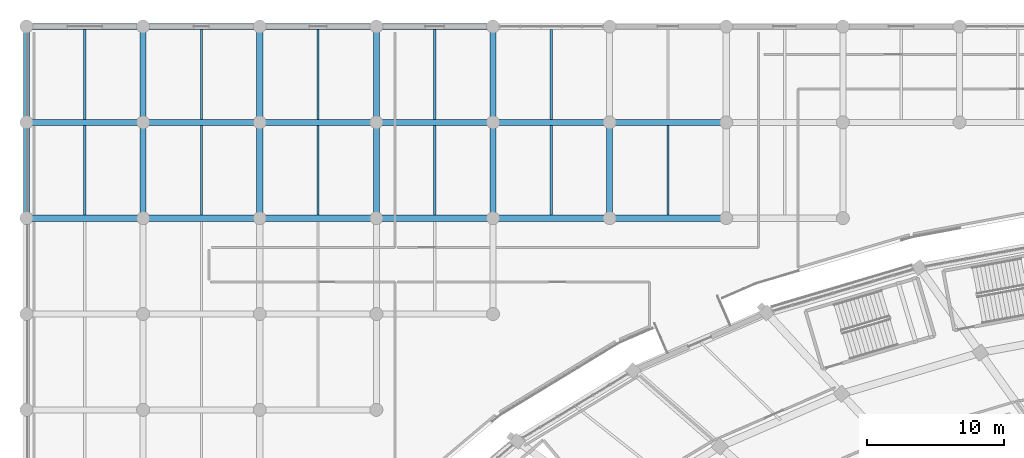
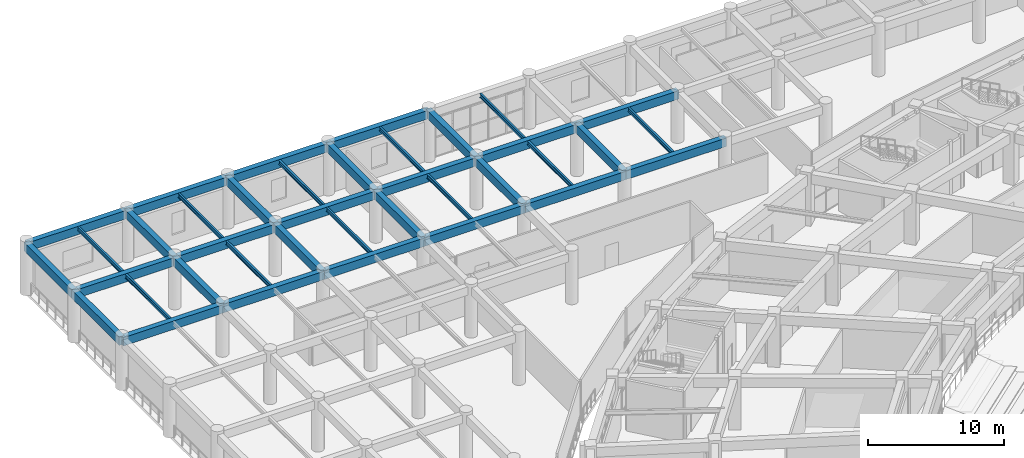
# One storey, part 60 of 152: 38 beams.
"""IFC4 building model written with IfcOpenShell, lengths in metres."""

from ifc_helpers import new_model, si_unit, direction, frame, origin, origin_2d, place, context, subcontext, project, spatial, rectangle, i_section, extrude, material, material_profile, profile_set, type_object, element, save


model = new_model("IFC4")

# Units and contexts
model_context = context("Model", 3, precision=1e-05, world=origin(), true_north=direction((0.0, 1.0)))
body_context = subcontext(model_context, "Body", "Model", "MODEL_VIEW")
ifc_project = project(units=[si_unit("LENGTHUNIT", "METRE"), si_unit("AREAUNIT", "SQUARE_METRE"), si_unit("VOLUMEUNIT", "CUBIC_METRE"), si_unit("PLANEANGLEUNIT", "RADIAN"), si_unit("MASSUNIT", "GRAM", prefix="KILO")], contexts=[model_context])

# Site, building, storey
site_placement = place(None, origin())
site = spatial("IfcSite", under=ifc_project, at=site_placement, CompositionType="ELEMENT")
building_placement = place(site_placement, origin())
building = spatial("IfcBuilding", under=site, at=building_placement, Name="Mphavela Belvedere Stadium", CompositionType="ELEMENT")
storey_placement = place(building_placement, frame((0.0, 0.0, 5.39990234375)))
storey = spatial("IfcBuildingStorey", under=building, at=storey_placement, Name="L01", CompositionType="ELEMENT", Elevation=5.39990234375)

# Beams
ifc_material_1 = material(Name="Steel S355", Category="steel")
ifc_material_profile_1 = material_profile(ifc_material_1, i_section(OverallWidth=0.169921875, OverallDepth=0.360107421875, WebThickness=0.008056640625, FlangeThickness=0.0126953125, at=origin_2d()), Name="IPE 360")
ifc_profile_set_1 = profile_set([ifc_material_profile_1], Name="Steel S355")
beam_type_1 = type_object("IfcBeamType", Name="BM-JOIST-IPE360", PredefinedType="JOIST", material=ifc_profile_set_1)
for number, where, z_axis, x_axis, name in (
    (1, (4.259521484375, 160.22509765625, 4.360107421875), (0.0, 1.0, 0.0), (-1.0, 0.0, 0.0), "North Mast and Ceremonial End Forecourt secondary joist L01 1-6"),
    (2, (4.259521484375, 167.22509765625, 4.360107421875), (0.0, 1.0, 0.0), (-1.0, 0.0, 0.0), "North Mast and Ceremonial End Forecourt secondary joist L01 1-7"),
    (3, (12.778076171875, 160.22509765625, 4.360107421875), (0.0, 1.0, 0.0), (-1.0, 0.0, 0.0), "North Mast and Ceremonial End Forecourt secondary joist L01 2-6"),
    (4, (12.778076171875, 167.22509765625, 4.360107421875), (0.0, 1.0, 0.0), (-1.0, 0.0, 0.0), "North Mast and Ceremonial End Forecourt secondary joist L01 2-7"),
    (5, (21.29638671875, 160.22509765625, 4.360107421875), (0.0, 1.0, 0.0), (-1.0, 0.0, 0.0), "North Mast and Ceremonial End Forecourt secondary joist L01 3-6"),
    (6, (21.29638671875, 167.22509765625, 4.360107421875), (0.0, 1.0, 0.0), (-1.0, 0.0, 0.0), "North Mast and Ceremonial End Forecourt secondary joist L01 3-7"),
    (7, (29.81494140625, 160.22509765625, 4.360107421875), (0.0, 1.0, 0.0), (-1.0, 0.0, 0.0), "North Mast and Ceremonial End Forecourt secondary joist L01 4-6"),
    (8, (29.81494140625, 167.22509765625, 4.360107421875), (0.0, 1.0, 0.0), (-1.0, 0.0, 0.0), "North Mast and Ceremonial End Forecourt secondary joist L01 4-7"),
    (9, (38.33349609375, 160.22509765625, 4.360107421875), (0.0, 1.0, 0.0), (-1.0, 0.0, 0.0), "North Mast and Ceremonial End Forecourt secondary joist L01 5-6"),
    (10, (38.33349609375, 167.22509765625, 4.360107421875), (0.0, 1.0, 0.0), (-1.0, 0.0, 0.0), "North Mast and Ceremonial End Forecourt secondary joist L01 5-7"),
    (11, (46.85205078125, 160.22509765625, 4.360107421875), (0.0, 1.0, 0.0), (-1.0, 0.0, 0.0), "North Mast and Ceremonial End Forecourt secondary joist L01 6-6"),
):
    element("IfcBeam", number, at=place(storey_placement, frame(where, z_axis=z_axis, x_axis=x_axis)), inside=storey, type_object=beam_type_1, Name=name, PredefinedType="JOIST", context=body_context, shape_type="SweptSolid", body=[
        extrude(i_section(OverallWidth=0.169921875, OverallDepth=0.360107421875, WebThickness=0.008056640625, FlangeThickness=0.0126953125, at=origin_2d()), origin(), (0.0, 0.0, 1.0), 6.5498046875),
    ])
ifc_material_2 = material(Name="Concrete C40/50", Category="concrete")
ifc_material_profile_2 = material_profile(ifc_material_2, rectangle(XDim=0.449951171875, YDim=0.75, at=origin_2d()), Name="RC 450x750")
ifc_profile_set_2 = profile_set([ifc_material_profile_2], Name="Concrete C40/50")
beam_type_2 = type_object("IfcBeamType", Name="BM-RC450x750", PredefinedType="BEAM", material=ifc_profile_set_2)
beam_1_placement = place(storey_placement, frame((0.0, 160.0, 4.1650390625), z_axis=(1.0, 0.0, 0.0), x_axis=(0.0, 1.0, 0.0)))
element("IfcBeam", 12, at=beam_1_placement, inside=storey, type_object=beam_type_2, Name="North Mast and Ceremonial End Forecourt entablature beam X L01 1-6", PredefinedType="BEAM", context=body_context, shape_type="SweptSolid", body=[
    extrude(rectangle(XDim=0.449951171875, YDim=0.75, at=origin_2d()), origin(), (0.0, 0.0, 1.0), 8.51904296875),
])
beam_2_placement = place(storey_placement, frame((0.0, 160.0, 4.1650390625), z_axis=(0.0, 1.0, 0.0), x_axis=(-1.0, 0.0, 0.0)))
element("IfcBeam", 13, at=beam_2_placement, inside=storey, type_object=beam_type_2, Name="North Mast and Ceremonial End Forecourt entablature beam Y L01 1-6", PredefinedType="BEAM", context=body_context, shape_type="SweptSolid", body=[
    extrude(rectangle(XDim=0.449951171875, YDim=0.75, at=origin_2d()), origin(), (0.0, 0.0, 1.0), 7.0),
])
beam_3_placement = place(storey_placement, frame((0.0, 167.0, 4.1650390625), z_axis=(1.0, 0.0, 0.0), x_axis=(0.0, 1.0, 0.0)))
element("IfcBeam", 14, at=beam_3_placement, inside=storey, type_object=beam_type_2, Name="North Mast and Ceremonial End Forecourt entablature beam X L01 1-7", PredefinedType="BEAM", context=body_context, shape_type="SweptSolid", body=[
    extrude(rectangle(XDim=0.449951171875, YDim=0.75, at=origin_2d()), origin(), (0.0, 0.0, 1.0), 8.51904296875),
])
beam_4_placement = place(storey_placement, frame((0.0, 167.0, 4.1650390625), z_axis=(0.0, 1.0, 0.0), x_axis=(-1.0, 0.0, 0.0)))
element("IfcBeam", 15, at=beam_4_placement, inside=storey, type_object=beam_type_2, Name="North Mast and Ceremonial End Forecourt entablature beam Y L01 1-7", PredefinedType="BEAM", context=body_context, shape_type="SweptSolid", body=[
    extrude(rectangle(XDim=0.449951171875, YDim=0.75, at=origin_2d()), origin(), (0.0, 0.0, 1.0), 7.0),
])
beam_5_placement = place(storey_placement, frame((0.0, 174.0, 4.1650390625), z_axis=(1.0, 0.0, 0.0), x_axis=(0.0, 1.0, 0.0)))
element("IfcBeam", 16, at=beam_5_placement, inside=storey, type_object=beam_type_2, Name="North Mast and Ceremonial End Forecourt entablature beam X L01 1-8", PredefinedType="BEAM", context=body_context, shape_type="SweptSolid", body=[
    extrude(rectangle(XDim=0.449951171875, YDim=0.75, at=origin_2d()), origin(), (0.0, 0.0, 1.0), 8.51904296875),
])
beam_6_placement = place(storey_placement, frame((8.51904296875, 160.0, 4.1650390625), z_axis=(1.0, 0.0, 0.0), x_axis=(0.0, 1.0, 0.0)))
element("IfcBeam", 17, at=beam_6_placement, inside=storey, type_object=beam_type_2, Name="North Mast and Ceremonial End Forecourt entablature beam X L01 2-6", PredefinedType="BEAM", context=body_context, shape_type="SweptSolid", body=[
    extrude(rectangle(XDim=0.449951171875, YDim=0.75, at=origin_2d()), origin(), (0.0, 0.0, 1.0), 8.51806640625),
])
beam_7_placement = place(storey_placement, frame((8.51904296875, 160.0, 4.1650390625), z_axis=(0.0, 1.0, 0.0), x_axis=(-1.0, 0.0, 0.0)))
element("IfcBeam", 18, at=beam_7_placement, inside=storey, type_object=beam_type_2, Name="North Mast and Ceremonial End Forecourt entablature beam Y L01 2-6", PredefinedType="BEAM", context=body_context, shape_type="SweptSolid", body=[
    extrude(rectangle(XDim=0.449951171875, YDim=0.75, at=origin_2d()), origin(), (0.0, 0.0, 1.0), 7.0),
])
beam_8_placement = place(storey_placement, frame((8.51904296875, 167.0, 4.1650390625), z_axis=(1.0, 0.0, 0.0), x_axis=(0.0, 1.0, 0.0)))
element("IfcBeam", 19, at=beam_8_placement, inside=storey, type_object=beam_type_2, Name="North Mast and Ceremonial End Forecourt entablature beam X L01 2-7", PredefinedType="BEAM", context=body_context, shape_type="SweptSolid", body=[
    extrude(rectangle(XDim=0.449951171875, YDim=0.75, at=origin_2d()), origin(), (0.0, 0.0, 1.0), 8.51806640625),
])
beam_9_placement = place(storey_placement, frame((8.51904296875, 167.0, 4.1650390625), z_axis=(0.0, 1.0, 0.0), x_axis=(-1.0, 0.0, 0.0)))
element("IfcBeam", 20, at=beam_9_placement, inside=storey, type_object=beam_type_2, Name="North Mast and Ceremonial End Forecourt entablature beam Y L01 2-7", PredefinedType="BEAM", context=body_context, shape_type="SweptSolid", body=[
    extrude(rectangle(XDim=0.449951171875, YDim=0.75, at=origin_2d()), origin(), (0.0, 0.0, 1.0), 7.0),
])
beam_10_placement = place(storey_placement, frame((8.51904296875, 174.0, 4.1650390625), z_axis=(1.0, 0.0, 0.0), x_axis=(0.0, 1.0, 0.0)))
element("IfcBeam", 21, at=beam_10_placement, inside=storey, type_object=beam_type_2, Name="North Mast and Ceremonial End Forecourt entablature beam X L01 2-8", PredefinedType="BEAM", context=body_context, shape_type="SweptSolid", body=[
    extrude(rectangle(XDim=0.449951171875, YDim=0.75, at=origin_2d()), origin(), (0.0, 0.0, 1.0), 8.51806640625),
])
beam_11_placement = place(storey_placement, frame((17.037109375, 160.0, 4.1650390625), z_axis=(1.0, 0.0, 0.0), x_axis=(0.0, 1.0, 0.0)))
element("IfcBeam", 22, at=beam_11_placement, inside=storey, type_object=beam_type_2, Name="North Mast and Ceremonial End Forecourt entablature beam X L01 3-6", PredefinedType="BEAM", context=body_context, shape_type="SweptSolid", body=[
    extrude(rectangle(XDim=0.449951171875, YDim=0.75, at=origin_2d()), origin(), (0.0, 0.0, 1.0), 8.518798828125),
])
beam_12_placement = place(storey_placement, frame((17.037109375, 160.0, 4.1650390625), z_axis=(0.0, 1.0, 0.0), x_axis=(-1.0, 0.0, 0.0)))
element("IfcBeam", 23, at=beam_12_placement, inside=storey, type_object=beam_type_2, Name="North Mast and Ceremonial End Forecourt entablature beam Y L01 3-6", PredefinedType="BEAM", context=body_context, shape_type="SweptSolid", body=[
    extrude(rectangle(XDim=0.449951171875, YDim=0.75, at=origin_2d()), origin(), (0.0, 0.0, 1.0), 7.0),
])
beam_13_placement = place(storey_placement, frame((17.037109375, 167.0, 4.1650390625), z_axis=(1.0, 0.0, 0.0), x_axis=(0.0, 1.0, 0.0)))
element("IfcBeam", 24, at=beam_13_placement, inside=storey, type_object=beam_type_2, Name="North Mast and Ceremonial End Forecourt entablature beam X L01 3-7", PredefinedType="BEAM", context=body_context, shape_type="SweptSolid", body=[
    extrude(rectangle(XDim=0.449951171875, YDim=0.75, at=origin_2d()), origin(), (0.0, 0.0, 1.0), 8.518798828125),
])
beam_14_placement = place(storey_placement, frame((17.037109375, 167.0, 4.1650390625), z_axis=(0.0, 1.0, 0.0), x_axis=(-1.0, 0.0, 0.0)))
element("IfcBeam", 25, at=beam_14_placement, inside=storey, type_object=beam_type_2, Name="North Mast and Ceremonial End Forecourt entablature beam Y L01 3-7", PredefinedType="BEAM", context=body_context, shape_type="SweptSolid", body=[
    extrude(rectangle(XDim=0.449951171875, YDim=0.75, at=origin_2d()), origin(), (0.0, 0.0, 1.0), 7.0),
])
beam_15_placement = place(storey_placement, frame((17.037109375, 174.0, 4.1650390625), z_axis=(1.0, 0.0, 0.0), x_axis=(0.0, 1.0, 0.0)))
element("IfcBeam", 26, at=beam_15_placement, inside=storey, type_object=beam_type_2, Name="North Mast and Ceremonial End Forecourt entablature beam X L01 3-8", PredefinedType="BEAM", context=body_context, shape_type="SweptSolid", body=[
    extrude(rectangle(XDim=0.449951171875, YDim=0.75, at=origin_2d()), origin(), (0.0, 0.0, 1.0), 8.518798828125),
])
beam_16_placement = place(storey_placement, frame((25.555908203125, 160.0, 4.1650390625), z_axis=(1.0, 0.0, 0.0), x_axis=(0.0, 1.0, 0.0)))
element("IfcBeam", 27, at=beam_16_placement, inside=storey, type_object=beam_type_2, Name="North Mast and Ceremonial End Forecourt entablature beam X L01 4-6", PredefinedType="BEAM", context=body_context, shape_type="SweptSolid", body=[
    extrude(rectangle(XDim=0.449951171875, YDim=0.75, at=origin_2d()), origin(), (0.0, 0.0, 1.0), 8.51806640625),
])
beam_17_placement = place(storey_placement, frame((25.555908203125, 160.0, 4.1650390625), z_axis=(0.0, 1.0, 0.0), x_axis=(-1.0, 0.0, 0.0)))
element("IfcBeam", 28, at=beam_17_placement, inside=storey, type_object=beam_type_2, Name="North Mast and Ceremonial End Forecourt entablature beam Y L01 4-6", PredefinedType="BEAM", context=body_context, shape_type="SweptSolid", body=[
    extrude(rectangle(XDim=0.449951171875, YDim=0.75, at=origin_2d()), origin(), (0.0, 0.0, 1.0), 7.0),
])
beam_18_placement = place(storey_placement, frame((25.555908203125, 167.0, 4.1650390625), z_axis=(1.0, 0.0, 0.0), x_axis=(0.0, 1.0, 0.0)))
element("IfcBeam", 29, at=beam_18_placement, inside=storey, type_object=beam_type_2, Name="North Mast and Ceremonial End Forecourt entablature beam X L01 4-7", PredefinedType="BEAM", context=body_context, shape_type="SweptSolid", body=[
    extrude(rectangle(XDim=0.449951171875, YDim=0.75, at=origin_2d()), origin(), (0.0, 0.0, 1.0), 8.51806640625),
])
beam_19_placement = place(storey_placement, frame((25.555908203125, 167.0, 4.1650390625), z_axis=(0.0, 1.0, 0.0), x_axis=(-1.0, 0.0, 0.0)))
element("IfcBeam", 30, at=beam_19_placement, inside=storey, type_object=beam_type_2, Name="North Mast and Ceremonial End Forecourt entablature beam Y L01 4-7", PredefinedType="BEAM", context=body_context, shape_type="SweptSolid", body=[
    extrude(rectangle(XDim=0.449951171875, YDim=0.75, at=origin_2d()), origin(), (0.0, 0.0, 1.0), 7.0),
])
beam_20_placement = place(storey_placement, frame((25.555908203125, 174.0, 4.1650390625), z_axis=(1.0, 0.0, 0.0), x_axis=(0.0, 1.0, 0.0)))
element("IfcBeam", 31, at=beam_20_placement, inside=storey, type_object=beam_type_2, Name="North Mast and Ceremonial End Forecourt entablature beam X L01 4-8", PredefinedType="BEAM", context=body_context, shape_type="SweptSolid", body=[
    extrude(rectangle(XDim=0.449951171875, YDim=0.75, at=origin_2d()), origin(), (0.0, 0.0, 1.0), 8.51806640625),
])
beam_21_placement = place(storey_placement, frame((34.073974609375, 160.0, 4.1650390625), z_axis=(1.0, 0.0, 0.0), x_axis=(0.0, 1.0, 0.0)))
element("IfcBeam", 32, at=beam_21_placement, inside=storey, type_object=beam_type_2, Name="North Mast and Ceremonial End Forecourt entablature beam X L01 5-6", PredefinedType="BEAM", context=body_context, shape_type="SweptSolid", body=[
    extrude(rectangle(XDim=0.449951171875, YDim=0.75, at=origin_2d()), origin(), (0.0, 0.0, 1.0), 8.51904296875),
])
beam_22_placement = place(storey_placement, frame((34.073974609375, 160.0, 4.1650390625), z_axis=(0.0, 1.0, 0.0), x_axis=(-1.0, 0.0, 0.0)))
element("IfcBeam", 33, at=beam_22_placement, inside=storey, type_object=beam_type_2, Name="North Mast and Ceremonial End Forecourt entablature beam Y L01 5-6", PredefinedType="BEAM", context=body_context, shape_type="SweptSolid", body=[
    extrude(rectangle(XDim=0.449951171875, YDim=0.75, at=origin_2d()), origin(), (0.0, 0.0, 1.0), 7.0),
])
beam_23_placement = place(storey_placement, frame((34.073974609375, 167.0, 4.1650390625), z_axis=(1.0, 0.0, 0.0), x_axis=(0.0, 1.0, 0.0)))
element("IfcBeam", 34, at=beam_23_placement, inside=storey, type_object=beam_type_2, Name="North Mast and Ceremonial End Forecourt entablature beam X L01 5-7", PredefinedType="BEAM", context=body_context, shape_type="SweptSolid", body=[
    extrude(rectangle(XDim=0.449951171875, YDim=0.75, at=origin_2d()), origin(), (0.0, 0.0, 1.0), 8.51904296875),
])
beam_24_placement = place(storey_placement, frame((34.073974609375, 167.0, 4.1650390625), z_axis=(0.0, 1.0, 0.0), x_axis=(-1.0, 0.0, 0.0)))
element("IfcBeam", 35, at=beam_24_placement, inside=storey, type_object=beam_type_2, Name="North Mast and Ceremonial End Forecourt entablature beam Y L01 5-7", PredefinedType="BEAM", context=body_context, shape_type="SweptSolid", body=[
    extrude(rectangle(XDim=0.449951171875, YDim=0.75, at=origin_2d()), origin(), (0.0, 0.0, 1.0), 7.0),
])
beam_25_placement = place(storey_placement, frame((42.593017578125, 160.0, 4.1650390625), z_axis=(1.0, 0.0, 0.0), x_axis=(0.0, 1.0, 0.0)))
element("IfcBeam", 36, at=beam_25_placement, inside=storey, type_object=beam_type_2, Name="North Mast and Ceremonial End Forecourt entablature beam X L01 6-6", PredefinedType="BEAM", context=body_context, shape_type="SweptSolid", body=[
    extrude(rectangle(XDim=0.449951171875, YDim=0.75, at=origin_2d()), origin(), (0.0, 0.0, 1.0), 8.51806640625),
])
beam_26_placement = place(storey_placement, frame((42.593017578125, 160.0, 4.1650390625), z_axis=(0.0, 1.0, 0.0), x_axis=(-1.0, 0.0, 0.0)))
element("IfcBeam", 37, at=beam_26_placement, inside=storey, type_object=beam_type_2, Name="North Mast and Ceremonial End Forecourt entablature beam Y L01 6-6", PredefinedType="BEAM", context=body_context, shape_type="SweptSolid", body=[
    extrude(rectangle(XDim=0.449951171875, YDim=0.75, at=origin_2d()), origin(), (0.0, 0.0, 1.0), 7.0),
])
beam_27_placement = place(storey_placement, frame((42.593017578125, 167.0, 4.1650390625), z_axis=(1.0, 0.0, 0.0), x_axis=(0.0, 1.0, 0.0)))
element("IfcBeam", 38, at=beam_27_placement, inside=storey, type_object=beam_type_2, Name="North Mast and Ceremonial End Forecourt entablature beam X L01 6-7", PredefinedType="BEAM", context=body_context, shape_type="SweptSolid", body=[
    extrude(rectangle(XDim=0.449951171875, YDim=0.75, at=origin_2d()), origin(), (0.0, 0.0, 1.0), 8.51806640625),
])

save(model, "model.ifc")
